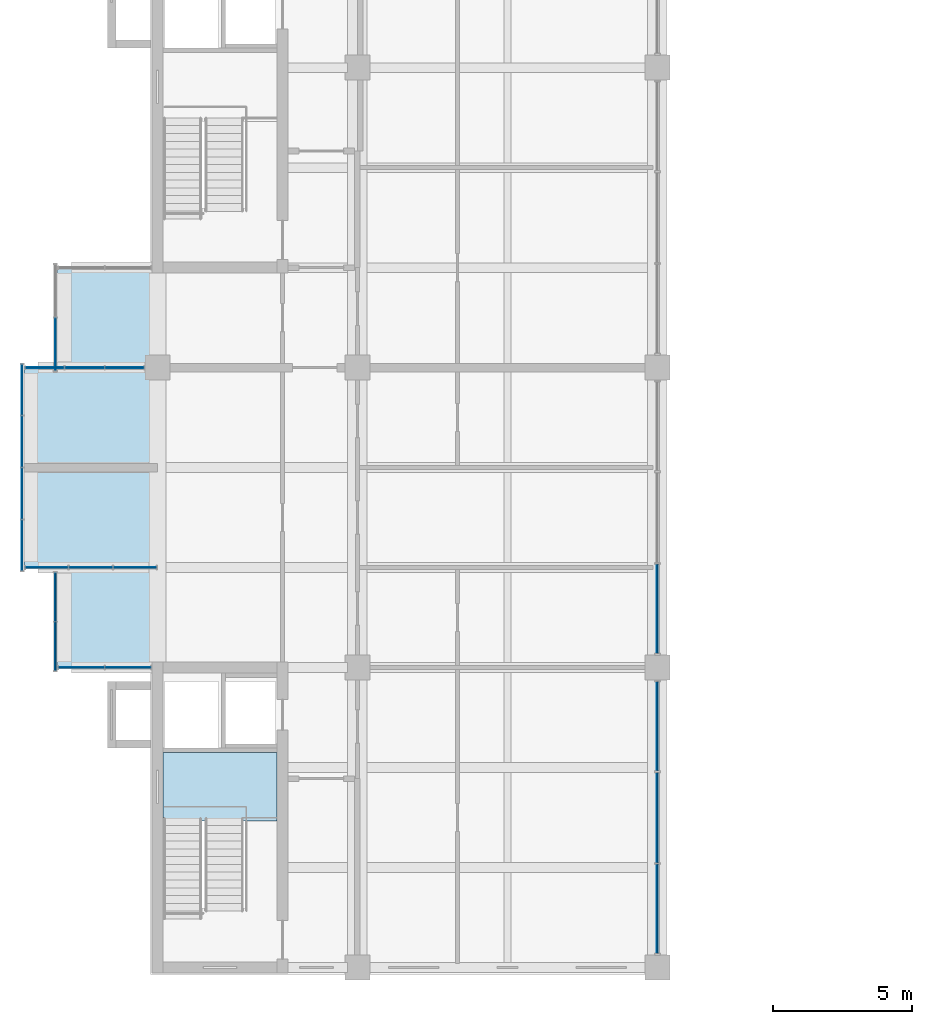
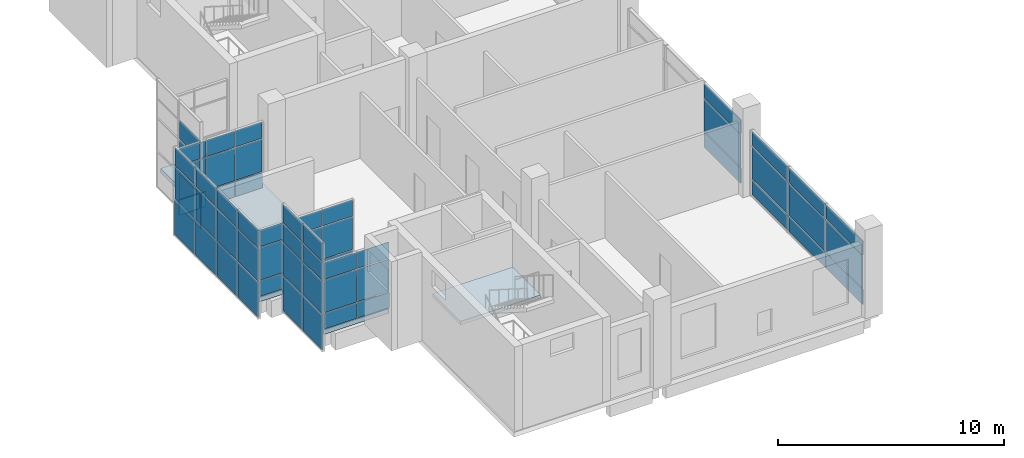
# One storey, part 12 of 23: 59 plates, 2 slabs, 9 elements without a shape of their own.
"""IFC4 building model written with IfcOpenShell, lengths in metres."""

from ifc_helpers import new_model, si_unit, direction, frame, origin, origin_2d, place, context, subcontext, project, spatial, polyline, rectangle, outline, extrude, material, layer, layer_set, type_object, element, aggregate, save


model = new_model("IFC4")

# Units and contexts
model_context = context("Model", 3, precision=1e-05, world=origin(), true_north=direction((0.0, 1.0)))
body_context = subcontext(model_context, "Body", "Model", "MODEL_VIEW")
ifc_project = project(units=[si_unit("LENGTHUNIT", "METRE"), si_unit("AREAUNIT", "SQUARE_METRE"), si_unit("VOLUMEUNIT", "CUBIC_METRE"), si_unit("PLANEANGLEUNIT", "RADIAN"), si_unit("MASSUNIT", "GRAM", prefix="KILO")], contexts=[model_context])

# Site, building, storey
site_placement = place(None, origin())
site = spatial("IfcSite", under=ifc_project, at=site_placement, CompositionType="ELEMENT")
building_placement = place(site_placement, origin())
building = spatial("IfcBuilding", under=site, at=building_placement, Name="Basin Gate Institute", CompositionType="ELEMENT")
storey_placement = place(building_placement, frame((0.0, 0.0, 46.199951171875)))
storey = spatial("IfcBuildingStorey", under=building, at=storey_placement, Name="L09", CompositionType="ELEMENT", Elevation=46.199951171875)

# Slab
ifc_material_1 = material(Name="Concrete 40 MPa", Category="concrete")
ifc_layer_1 = layer(ifc_material_1, 0.25)
ifc_layer_set_1 = layer_set([ifc_layer_1], Name="Concrete 40 MPa")
slab_type_1 = type_object("IfcSlabType", Name="Slab SL4 R120", PredefinedType="FLOOR", material=ifc_layer_set_1)
slab_1_placement = place(storey_placement, frame((0.0, 0.0, -0.25)))
element("IfcSlab", 1, at=slab_1_placement, inside=storey, type_object=slab_type_1, material=ifc_layer_set_1, Name="SLAB/L09/WK11", PredefinedType="FLOOR", context=body_context, shape_type="SweptSolid", body=[
    extrude(outline(polyline([(57.60009765625, 45.89990234375), (57.60009765625, 49.5), (56.39990234375, 49.5), (56.39990234375, 56.699951171875), (57.60009765625, 56.699951171875), (57.60009765625, 60.300048828125), (60.949951171875, 60.300048828125), (60.949951171875, 45.89990234375), (57.60009765625, 45.89990234375)])), origin(), (0.0, 0.0, 1.0), 0.25),
])

# Curtain wall, plates
ifc_material_2 = material(Name="Aluminium-framed glazing", Category="aluminium")
ifc_layer_2 = layer(ifc_material_2, 0.199951171875)
ifc_layer_set_2 = layer_set([ifc_layer_2], Name="Atrium curtain wall CW2")
curtain_wall_type_1 = type_object("IfcCurtainWallType", Name="Atrium curtain wall CW2", PredefinedType="NOTDEFINED", material=ifc_layer_set_2)
curtain_wall_1_placement = place(storey_placement, origin())
curtain_wall_1 = element("IfcCurtainWall", 2, at=curtain_wall_1_placement, inside=storey, type_object=curtain_wall_type_1, material=ifc_layer_set_2, Name="Atrium curtain wall W wing atrium bay 1 L09", PredefinedType="NOTDEFINED")
ifc_material_3 = material(Name="Aluminium insulated spandrel panel", Category="aluminium")
ifc_layer_3 = layer(ifc_material_3, 0.050048828125)
ifc_layer_set_3 = layer_set([ifc_layer_3], Name="Spandrel panel PN2")
plate_type_1 = type_object("IfcPlateType", Name="Spandrel panel PN2", PredefinedType="CURTAIN_PANEL", material=ifc_layer_set_3)
plate_1_placement = place(storey_placement, frame((79.199951171875, 37.215087890625, 0.06005859375), z_axis=(0.0, 0.0, 1.0), x_axis=(0.0, 1.0, 0.0)))
plate_1 = element("IfcPlate", 3, at=plate_1_placement, type_object=plate_type_1, material=ifc_layer_set_3, Name="CW2 spandrel panel 1.1", PredefinedType="CURTAIN_PANEL", context=body_context, shape_type="SweptSolid", body=[
    extrude(rectangle(XDim=3.2099609375, YDim=0.050048828125, at=origin_2d()), origin(), (0.0, 0.0, 1.0), 0.81005859375),
])
plate_2_placement = place(storey_placement, frame((79.199951171875, 37.215087890625, 2.72998046875), z_axis=(0.0, 0.0, 1.0), x_axis=(0.0, 1.0, 0.0)))
plate_2 = element("IfcPlate", 4, at=plate_2_placement, type_object=plate_type_1, material=ifc_layer_set_3, Name="CW2 spandrel panel 1.3", PredefinedType="CURTAIN_PANEL", context=body_context, shape_type="SweptSolid", body=[
    extrude(rectangle(XDim=3.2099609375, YDim=0.050048828125, at=origin_2d()), origin(), (0.0, 0.0, 1.0), 0.760009765625),
])
plate_3_placement = place(storey_placement, frame((79.199951171875, 40.5, 0.06005859375), z_axis=(0.0, 0.0, 1.0), x_axis=(0.0, 1.0, 0.0)))
plate_3 = element("IfcPlate", 5, at=plate_3_placement, type_object=plate_type_1, material=ifc_layer_set_3, Name="CW2 spandrel panel 2.1", PredefinedType="CURTAIN_PANEL", context=body_context, shape_type="SweptSolid", body=[
    extrude(rectangle(XDim=3.239990234375, YDim=0.050048828125, at=origin_2d()), origin(), (0.0, 0.0, 1.0), 0.81005859375),
])
plate_4_placement = place(storey_placement, frame((79.199951171875, 40.5, 2.72998046875), z_axis=(0.0, 0.0, 1.0), x_axis=(0.0, 1.0, 0.0)))
plate_4 = element("IfcPlate", 6, at=plate_4_placement, type_object=plate_type_1, material=ifc_layer_set_3, Name="CW2 spandrel panel 2.3", PredefinedType="CURTAIN_PANEL", context=body_context, shape_type="SweptSolid", body=[
    extrude(rectangle(XDim=3.239990234375, YDim=0.050048828125, at=origin_2d()), origin(), (0.0, 0.0, 1.0), 0.760009765625),
])
plate_5_placement = place(storey_placement, frame((79.199951171875, 43.784912109375, 0.06005859375), z_axis=(0.0, 0.0, 1.0), x_axis=(0.0, 1.0, 0.0)))
plate_5 = element("IfcPlate", 7, at=plate_5_placement, type_object=plate_type_1, material=ifc_layer_set_3, Name="CW2 spandrel panel 3.1", PredefinedType="CURTAIN_PANEL", context=body_context, shape_type="SweptSolid", body=[
    extrude(rectangle(XDim=3.2099609375, YDim=0.050048828125, at=origin_2d()), origin(), (0.0, 0.0, 1.0), 0.81005859375),
])
plate_6_placement = place(storey_placement, frame((79.199951171875, 43.784912109375, 2.72998046875), z_axis=(0.0, 0.0, 1.0), x_axis=(0.0, 1.0, 0.0)))
plate_6 = element("IfcPlate", 8, at=plate_6_placement, type_object=plate_type_1, material=ifc_layer_set_3, Name="CW2 spandrel panel 3.3", PredefinedType="CURTAIN_PANEL", context=body_context, shape_type="SweptSolid", body=[
    extrude(rectangle(XDim=3.2099609375, YDim=0.050048828125, at=origin_2d()), origin(), (0.0, 0.0, 1.0), 0.760009765625),
])

curtain_wall_2_placement = place(storey_placement, origin())
curtain_wall_2 = element("IfcCurtainWall", 9, at=curtain_wall_2_placement, inside=storey, type_object=curtain_wall_type_1, material=ifc_layer_set_2, Name="Atrium curtain wall W wing atrium bay 2 L09", PredefinedType="NOTDEFINED")
plate_7_placement = place(storey_placement, frame((79.199951171875, 48.014892578125, 0.06005859375), z_axis=(0.0, 0.0, 1.0), x_axis=(0.0, 1.0, 0.0)))
plate_7 = element("IfcPlate", 10, at=plate_7_placement, type_object=plate_type_1, material=ifc_layer_set_3, Name="CW2 spandrel panel 1.1", PredefinedType="CURTAIN_PANEL", context=body_context, shape_type="SweptSolid", body=[
    extrude(rectangle(XDim=3.2099609375, YDim=0.050048828125, at=origin_2d()), origin(), (0.0, 0.0, 1.0), 0.81005859375),
])
plate_8_placement = place(storey_placement, frame((79.199951171875, 48.014892578125, 2.72998046875), z_axis=(0.0, 0.0, 1.0), x_axis=(0.0, 1.0, 0.0)))
plate_8 = element("IfcPlate", 11, at=plate_8_placement, type_object=plate_type_1, material=ifc_layer_set_3, Name="CW2 spandrel panel 1.3", PredefinedType="CURTAIN_PANEL", context=body_context, shape_type="SweptSolid", body=[
    extrude(rectangle(XDim=3.2099609375, YDim=0.050048828125, at=origin_2d()), origin(), (0.0, 0.0, 1.0), 0.760009765625),
])

ifc_material_4 = material(Name="Aluminium-framed glazing", Category="aluminium")
ifc_layer_4 = layer(ifc_material_4, 0.14990234375)
ifc_layer_set_4 = layer_set([ifc_layer_4], Name="Capsule front curtain wall CW1")
curtain_wall_type_2 = type_object("IfcCurtainWallType", Name="Capsule front curtain wall CW1", PredefinedType="NOTDEFINED", material=ifc_layer_set_4)
curtain_wall_3_placement = place(storey_placement, origin())
curtain_wall_3 = element("IfcCurtainWall", 12, at=curtain_wall_3_placement, inside=storey, type_object=curtain_wall_type_2, material=ifc_layer_set_4, Name="Capsule front curtain wall W wing capsule end L09 line 4", PredefinedType="NOTDEFINED")
plate_9_placement = place(storey_placement, frame((58.46240234375, 45.89990234375, 0.06005859375), z_axis=(0.0, 0.0, 1.0), x_axis=(1.0, 0.0, 0.0)))
plate_9 = element("IfcPlate", 13, at=plate_9_placement, type_object=plate_type_1, material=ifc_layer_set_3, Name="CW1 spandrel panel 1.1", PredefinedType="CURTAIN_PANEL", context=body_context, shape_type="SweptSolid", body=[
    extrude(rectangle(XDim=1.625, YDim=0.050048828125, at=origin_2d()), origin(), (0.0, 0.0, 1.0), 0.81005859375),
])
plate_10_placement = place(storey_placement, frame((60.137451171875, 45.89990234375, 0.06005859375), z_axis=(0.0, 0.0, 1.0), x_axis=(1.0, 0.0, 0.0)))
plate_10 = element("IfcPlate", 14, at=plate_10_placement, type_object=plate_type_1, material=ifc_layer_set_3, Name="CW1 spandrel panel 2.1", PredefinedType="CURTAIN_PANEL", context=body_context, shape_type="SweptSolid", body=[
    extrude(rectangle(XDim=1.625, YDim=0.050048828125, at=origin_2d()), origin(), (0.0, 0.0, 1.0), 0.81005859375),
])

curtain_wall_4_placement = place(storey_placement, origin())
curtain_wall_4 = element("IfcCurtainWall", 15, at=curtain_wall_4_placement, inside=storey, type_object=curtain_wall_type_2, material=ifc_layer_set_4, Name="Capsule front curtain wall W wing capsule end L09 line 5", PredefinedType="NOTDEFINED")
plate_11_placement = place(storey_placement, frame((57.21240234375, 49.5, 0.06005859375), z_axis=(0.0, 0.0, 1.0), x_axis=(1.0, 0.0, 0.0)))
plate_11 = element("IfcPlate", 16, at=plate_11_placement, type_object=plate_type_1, material=ifc_layer_set_3, Name="CW1 spandrel panel 1.1", PredefinedType="CURTAIN_PANEL", context=body_context, shape_type="SweptSolid", body=[
    extrude(rectangle(XDim=1.52490234375, YDim=0.050048828125, at=origin_2d()), origin(), (0.0, 0.0, 1.0), 0.81005859375),
])
plate_12_placement = place(storey_placement, frame((58.800048828125, 49.5, 0.06005859375), z_axis=(0.0, 0.0, 1.0), x_axis=(1.0, 0.0, 0.0)))
plate_12 = element("IfcPlate", 17, at=plate_12_placement, type_object=plate_type_1, material=ifc_layer_set_3, Name="CW1 spandrel panel 2.1", PredefinedType="CURTAIN_PANEL", context=body_context, shape_type="SweptSolid", body=[
    extrude(rectangle(XDim=1.550048828125, YDim=0.050048828125, at=origin_2d()), origin(), (0.0, 0.0, 1.0), 0.81005859375),
])
plate_13_placement = place(storey_placement, frame((60.387451171875, 49.5, 0.06005859375), z_axis=(0.0, 0.0, 1.0), x_axis=(1.0, 0.0, 0.0)))
plate_13 = element("IfcPlate", 18, at=plate_13_placement, type_object=plate_type_1, material=ifc_layer_set_3, Name="CW1 spandrel panel 3.1", PredefinedType="CURTAIN_PANEL", context=body_context, shape_type="SweptSolid", body=[
    extrude(rectangle(XDim=1.52490234375, YDim=0.050048828125, at=origin_2d()), origin(), (0.0, 0.0, 1.0), 0.81005859375),
])

curtain_wall_5_placement = place(storey_placement, origin())
curtain_wall_5 = element("IfcCurtainWall", 19, at=curtain_wall_5_placement, inside=storey, type_object=curtain_wall_type_2, material=ifc_layer_set_4, Name="Capsule front curtain wall W wing capsule end L09 line 7", PredefinedType="NOTDEFINED")
plate_14_placement = place(storey_placement, frame((57.137451171875, 56.699951171875, 0.06005859375), z_axis=(0.0, 0.0, 1.0), x_axis=(1.0, 0.0, 0.0)))
plate_14 = element("IfcPlate", 20, at=plate_14_placement, type_object=plate_type_1, material=ifc_layer_set_3, Name="CW1 spandrel panel 1.1", PredefinedType="CURTAIN_PANEL", context=body_context, shape_type="SweptSolid", body=[
    extrude(rectangle(XDim=1.375, YDim=0.050048828125, at=origin_2d()), origin(), (0.0, 0.0, 1.0), 0.81005859375),
])
plate_15_placement = place(storey_placement, frame((58.574951171875, 56.699951171875, 0.06005859375), z_axis=(0.0, 0.0, 1.0), x_axis=(1.0, 0.0, 0.0)))
plate_15 = element("IfcPlate", 21, at=plate_15_placement, type_object=plate_type_1, material=ifc_layer_set_3, Name="CW1 spandrel panel 2.1", PredefinedType="CURTAIN_PANEL", context=body_context, shape_type="SweptSolid", body=[
    extrude(rectangle(XDim=1.39990234375, YDim=0.050048828125, at=origin_2d()), origin(), (0.0, 0.0, 1.0), 0.81005859375),
])
plate_16_placement = place(storey_placement, frame((60.012451171875, 56.699951171875, 0.06005859375), z_axis=(0.0, 0.0, 1.0), x_axis=(1.0, 0.0, 0.0)))
plate_16 = element("IfcPlate", 22, at=plate_16_placement, type_object=plate_type_1, material=ifc_layer_set_3, Name="CW1 spandrel panel 3.1", PredefinedType="CURTAIN_PANEL", context=body_context, shape_type="SweptSolid", body=[
    extrude(rectangle(XDim=1.375, YDim=0.050048828125, at=origin_2d()), origin(), (0.0, 0.0, 1.0), 0.81005859375),
])

curtain_wall_6_placement = place(storey_placement, origin())
curtain_wall_6 = element("IfcCurtainWall", 23, at=curtain_wall_6_placement, inside=storey, type_object=curtain_wall_type_2, material=ifc_layer_set_4, Name="Capsule front curtain wall W wing capsule 1 L09 front 1", PredefinedType="NOTDEFINED")
plate_17_placement = place(storey_placement, frame((57.52490234375, 46.66259765625, -0.990234375), z_axis=(0.0, 0.0, 1.0), x_axis=(0.0, 1.0, 0.0)))
plate_17 = element("IfcPlate", 24, at=plate_17_placement, type_object=plate_type_1, material=ifc_layer_set_3, Name="CW1 spandrel panel 1.1", PredefinedType="CURTAIN_PANEL", context=body_context, shape_type="SweptSolid", body=[
    extrude(rectangle(XDim=1.72509765625, YDim=0.050048828125, at=origin_2d()), origin(), (0.0, 0.0, 1.0), 1.860107421875),
])
plate_18_placement = place(storey_placement, frame((57.52490234375, 46.66259765625, 3.780029296875), z_axis=(0.0, 0.0, 1.0), x_axis=(0.0, 1.0, 0.0)))
plate_18 = element("IfcPlate", 25, at=plate_18_placement, type_object=plate_type_1, material=ifc_layer_set_3, Name="CW1 spandrel panel 1.4", PredefinedType="CURTAIN_PANEL", context=body_context, shape_type="SweptSolid", body=[
    extrude(rectangle(XDim=1.72509765625, YDim=0.050048828125, at=origin_2d()), origin(), (0.0, 0.0, 1.0), 0.9599609375),
])
plate_19_placement = place(storey_placement, frame((57.52490234375, 48.4375, -0.990234375), z_axis=(0.0, 0.0, 1.0), x_axis=(0.0, 1.0, 0.0)))
plate_19 = element("IfcPlate", 26, at=plate_19_placement, type_object=plate_type_1, material=ifc_layer_set_3, Name="CW1 spandrel panel 2.1", PredefinedType="CURTAIN_PANEL", context=body_context, shape_type="SweptSolid", body=[
    extrude(rectangle(XDim=1.72509765625, YDim=0.050048828125, at=origin_2d()), origin(), (0.0, 0.0, 1.0), 1.860107421875),
])
plate_20_placement = place(storey_placement, frame((57.52490234375, 48.4375, 3.780029296875), z_axis=(0.0, 0.0, 1.0), x_axis=(0.0, 1.0, 0.0)))
plate_20 = element("IfcPlate", 27, at=plate_20_placement, type_object=plate_type_1, material=ifc_layer_set_3, Name="CW1 spandrel panel 2.4", PredefinedType="CURTAIN_PANEL", context=body_context, shape_type="SweptSolid", body=[
    extrude(rectangle(XDim=1.72509765625, YDim=0.050048828125, at=origin_2d()), origin(), (0.0, 0.0, 1.0), 0.9599609375),
])

curtain_wall_7_placement = place(storey_placement, origin())
curtain_wall_7 = element("IfcCurtainWall", 28, at=curtain_wall_7_placement, inside=storey, type_object=curtain_wall_type_2, material=ifc_layer_set_4, Name="Capsule front curtain wall W wing capsule 1 L09 front 2", PredefinedType="NOTDEFINED")
plate_21_placement = place(storey_placement, frame((56.324951171875, 50.300048828125, -0.990234375), z_axis=(0.0, 0.0, 1.0), x_axis=(0.0, 1.0, 0.0)))
plate_21 = element("IfcPlate", 29, at=plate_21_placement, type_object=plate_type_1, material=ifc_layer_set_3, Name="CW1 spandrel panel 1.1", PredefinedType="CURTAIN_PANEL", context=body_context, shape_type="SweptSolid", body=[
    extrude(rectangle(XDim=1.800048828125, YDim=0.050048828125, at=origin_2d()), origin(), (0.0, 0.0, 1.0), 1.860107421875),
])
plate_22_placement = place(storey_placement, frame((56.324951171875, 52.16259765625, -0.990234375), z_axis=(0.0, 0.0, 1.0), x_axis=(0.0, 1.0, 0.0)))
plate_22 = element("IfcPlate", 30, at=plate_22_placement, type_object=plate_type_1, material=ifc_layer_set_3, Name="CW1 spandrel panel 2.1", PredefinedType="CURTAIN_PANEL", context=body_context, shape_type="SweptSolid", body=[
    extrude(rectangle(XDim=1.824951171875, YDim=0.050048828125, at=origin_2d()), origin(), (0.0, 0.0, 1.0), 1.860107421875),
])
plate_23_placement = place(storey_placement, frame((56.324951171875, 54.03759765625, -0.990234375), z_axis=(0.0, 0.0, 1.0), x_axis=(0.0, 1.0, 0.0)))
plate_23 = element("IfcPlate", 31, at=plate_23_placement, type_object=plate_type_1, material=ifc_layer_set_3, Name="CW1 spandrel panel 3.1", PredefinedType="CURTAIN_PANEL", context=body_context, shape_type="SweptSolid", body=[
    extrude(rectangle(XDim=1.824951171875, YDim=0.050048828125, at=origin_2d()), origin(), (0.0, 0.0, 1.0), 1.860107421875),
])
plate_24_placement = place(storey_placement, frame((56.324951171875, 55.89990234375, -0.990234375), z_axis=(0.0, 0.0, 1.0), x_axis=(0.0, 1.0, 0.0)))
plate_24 = element("IfcPlate", 32, at=plate_24_placement, type_object=plate_type_1, material=ifc_layer_set_3, Name="CW1 spandrel panel 4.1", PredefinedType="CURTAIN_PANEL", context=body_context, shape_type="SweptSolid", body=[
    extrude(rectangle(XDim=1.800048828125, YDim=0.050048828125, at=origin_2d()), origin(), (0.0, 0.0, 1.0), 1.860107421875),
])

# Curtain wall, plate
curtain_wall_8_placement = place(storey_placement, origin())
curtain_wall_8 = element("IfcCurtainWall", 33, at=curtain_wall_8_placement, inside=storey, type_object=curtain_wall_type_2, material=ifc_layer_set_4, Name="Capsule front curtain wall W wing capsule 1 L09 front 4", PredefinedType="NOTDEFINED")
plate_25_placement = place(storey_placement, frame((57.52490234375, 57.53759765625, -0.990234375), z_axis=(0.0, 0.0, 1.0), x_axis=(0.0, 1.0, 0.0)))
plate_25 = element("IfcPlate", 34, at=plate_25_placement, type_object=plate_type_1, material=ifc_layer_set_3, Name="CW1 spandrel panel 1.1", PredefinedType="CURTAIN_PANEL", context=body_context, shape_type="SweptSolid", body=[
    extrude(rectangle(XDim=1.875, YDim=0.050048828125, at=origin_2d()), origin(), (0.0, 0.0, 1.0), 1.860107421875),
])

# Stair, slab
ifc_material_5 = material(Name="Concrete 40 MPa", Category="concrete")
stair_type = type_object("IfcStairType", Name="Stair ST", PredefinedType="HALF_TURN_STAIR", material=ifc_material_5)
stair_placement = place(storey_placement, origin())
stair = element("IfcStair", 35, at=stair_placement, inside=storey, type_object=stair_type, material=ifc_material_5, Name="Special safe stair ST-WS L09", PredefinedType="HALF_TURN_STAIR")
ifc_material_6 = material(Name="Concrete 40 MPa", Category="concrete")
ifc_layer_5 = layer(ifc_material_6, 0.199951171875)
ifc_layer_set_5 = layer_set([ifc_layer_5], Name="Concrete 40 MPa")
slab_type_2 = type_object("IfcSlabType", Name="Stair landing LN REI 120", PredefinedType="LANDING", material=ifc_layer_set_5)
slab_2_placement = place(storey_placement, frame((0.0, 0.0, 2.288818359375)))
slab_2 = element("IfcSlab", 36, at=slab_2_placement, type_object=slab_type_2, material=ifc_layer_set_5, Name="Stair landing ST-WS-L1 L09", PredefinedType="LANDING", context=body_context, shape_type="SweptSolid", body=[
    extrude(outline(polyline([(61.39990234375, 40.3701171875), (65.5, 40.3701171875), (65.5, 42.85009765625), (61.39990234375, 42.85009765625), (61.39990234375, 40.3701171875)])), origin(), (0.0, 0.0, 1.0), 0.2001953125),
])
aggregate(stair, [slab_2])

# Plate
ifc_material_7 = material(Name="Double glazed unit")
ifc_layer_6 = layer(ifc_material_7, 0.028076171875)
ifc_layer_set_6 = layer_set([ifc_layer_6], Name="Vision panel PN1")
plate_type_2 = type_object("IfcPlateType", Name="Vision panel PN1", PredefinedType="CURTAIN_PANEL", material=ifc_layer_set_6)
plate_26_placement = place(storey_placement, frame((79.199951171875, 37.215087890625, 0.93017578125), z_axis=(0.0, 0.0, 1.0), x_axis=(0.0, 1.0, 0.0)))
plate_26 = element("IfcPlate", 37, at=plate_26_placement, type_object=plate_type_2, material=ifc_layer_set_6, Name="CW2 vision panel 1.2", PredefinedType="CURTAIN_PANEL", context=body_context, shape_type="SweptSolid", body=[
    extrude(rectangle(XDim=3.2099609375, YDim=0.028076171875, at=origin_2d()), origin(), (0.0, 0.0, 1.0), 1.739990234375),
])

plate_27_placement = place(storey_placement, frame((79.199951171875, 40.5, 0.93017578125), z_axis=(0.0, 0.0, 1.0), x_axis=(0.0, 1.0, 0.0)))
plate_27 = element("IfcPlate", 38, at=plate_27_placement, type_object=plate_type_2, material=ifc_layer_set_6, Name="CW2 vision panel 2.2", PredefinedType="CURTAIN_PANEL", context=body_context, shape_type="SweptSolid", body=[
    extrude(rectangle(XDim=3.239990234375, YDim=0.028076171875, at=origin_2d()), origin(), (0.0, 0.0, 1.0), 1.739990234375),
])

plate_28_placement = place(storey_placement, frame((79.199951171875, 43.784912109375, 0.93017578125), z_axis=(0.0, 0.0, 1.0), x_axis=(0.0, 1.0, 0.0)))
plate_28 = element("IfcPlate", 39, at=plate_28_placement, type_object=plate_type_2, material=ifc_layer_set_6, Name="CW2 vision panel 3.2", PredefinedType="CURTAIN_PANEL", context=body_context, shape_type="SweptSolid", body=[
    extrude(rectangle(XDim=3.2099609375, YDim=0.028076171875, at=origin_2d()), origin(), (0.0, 0.0, 1.0), 1.739990234375),
])

aggregate(curtain_wall_1, [plate_1, plate_26, plate_2, plate_3, plate_27, plate_4, plate_5, plate_28, plate_6])

plate_29_placement = place(storey_placement, frame((79.199951171875, 48.014892578125, 0.93017578125), z_axis=(0.0, 0.0, 1.0), x_axis=(0.0, 1.0, 0.0)))
plate_29 = element("IfcPlate", 40, at=plate_29_placement, type_object=plate_type_2, material=ifc_layer_set_6, Name="CW2 vision panel 1.2", PredefinedType="CURTAIN_PANEL", context=body_context, shape_type="SweptSolid", body=[
    extrude(rectangle(XDim=3.2099609375, YDim=0.028076171875, at=origin_2d()), origin(), (0.0, 0.0, 1.0), 1.739990234375),
])

aggregate(curtain_wall_2, [plate_7, plate_29, plate_8])

plate_30_placement = place(storey_placement, frame((58.46240234375, 45.89990234375, 0.93017578125), z_axis=(0.0, 0.0, 1.0), x_axis=(1.0, 0.0, 0.0)))
plate_30 = element("IfcPlate", 41, at=plate_30_placement, type_object=plate_type_2, material=ifc_layer_set_6, Name="CW1 vision panel 1.2", PredefinedType="CURTAIN_PANEL", context=body_context, shape_type="SweptSolid", body=[
    extrude(rectangle(XDim=1.625, YDim=0.028076171875, at=origin_2d()), origin(), (0.0, 0.0, 1.0), 1.739990234375),
])

plate_31_placement = place(storey_placement, frame((58.46240234375, 45.89990234375, 2.72998046875), z_axis=(0.0, 0.0, 1.0), x_axis=(1.0, 0.0, 0.0)))
plate_31 = element("IfcPlate", 42, at=plate_31_placement, type_object=plate_type_2, material=ifc_layer_set_6, Name="CW1 vision panel 1.3", PredefinedType="CURTAIN_PANEL", context=body_context, shape_type="SweptSolid", body=[
    extrude(rectangle(XDim=1.625, YDim=0.028076171875, at=origin_2d()), origin(), (0.0, 0.0, 1.0), 0.860107421875),
])

plate_32_placement = place(storey_placement, frame((60.137451171875, 45.89990234375, 0.93017578125), z_axis=(0.0, 0.0, 1.0), x_axis=(1.0, 0.0, 0.0)))
plate_32 = element("IfcPlate", 43, at=plate_32_placement, type_object=plate_type_2, material=ifc_layer_set_6, Name="CW1 vision panel 2.2", PredefinedType="CURTAIN_PANEL", context=body_context, shape_type="SweptSolid", body=[
    extrude(rectangle(XDim=1.625, YDim=0.028076171875, at=origin_2d()), origin(), (0.0, 0.0, 1.0), 1.739990234375),
])

plate_33_placement = place(storey_placement, frame((60.137451171875, 45.89990234375, 2.72998046875), z_axis=(0.0, 0.0, 1.0), x_axis=(1.0, 0.0, 0.0)))
plate_33 = element("IfcPlate", 44, at=plate_33_placement, type_object=plate_type_2, material=ifc_layer_set_6, Name="CW1 vision panel 2.3", PredefinedType="CURTAIN_PANEL", context=body_context, shape_type="SweptSolid", body=[
    extrude(rectangle(XDim=1.625, YDim=0.028076171875, at=origin_2d()), origin(), (0.0, 0.0, 1.0), 0.860107421875),
])

aggregate(curtain_wall_3, [plate_9, plate_30, plate_31, plate_10, plate_32, plate_33])

plate_34_placement = place(storey_placement, frame((57.21240234375, 49.5, 0.93017578125), z_axis=(0.0, 0.0, 1.0), x_axis=(1.0, 0.0, 0.0)))
plate_34 = element("IfcPlate", 45, at=plate_34_placement, type_object=plate_type_2, material=ifc_layer_set_6, Name="CW1 vision panel 1.2", PredefinedType="CURTAIN_PANEL", context=body_context, shape_type="SweptSolid", body=[
    extrude(rectangle(XDim=1.52490234375, YDim=0.028076171875, at=origin_2d()), origin(), (0.0, 0.0, 1.0), 1.739990234375),
])

plate_35_placement = place(storey_placement, frame((57.21240234375, 49.5, 2.72998046875), z_axis=(0.0, 0.0, 1.0), x_axis=(1.0, 0.0, 0.0)))
plate_35 = element("IfcPlate", 46, at=plate_35_placement, type_object=plate_type_2, material=ifc_layer_set_6, Name="CW1 vision panel 1.3", PredefinedType="CURTAIN_PANEL", context=body_context, shape_type="SweptSolid", body=[
    extrude(rectangle(XDim=1.52490234375, YDim=0.028076171875, at=origin_2d()), origin(), (0.0, 0.0, 1.0), 0.860107421875),
])

plate_36_placement = place(storey_placement, frame((58.800048828125, 49.5, 0.93017578125), z_axis=(0.0, 0.0, 1.0), x_axis=(1.0, 0.0, 0.0)))
plate_36 = element("IfcPlate", 47, at=plate_36_placement, type_object=plate_type_2, material=ifc_layer_set_6, Name="CW1 vision panel 2.2", PredefinedType="CURTAIN_PANEL", context=body_context, shape_type="SweptSolid", body=[
    extrude(rectangle(XDim=1.550048828125, YDim=0.028076171875, at=origin_2d()), origin(), (0.0, 0.0, 1.0), 1.739990234375),
])

plate_37_placement = place(storey_placement, frame((58.800048828125, 49.5, 2.72998046875), z_axis=(0.0, 0.0, 1.0), x_axis=(1.0, 0.0, 0.0)))
plate_37 = element("IfcPlate", 48, at=plate_37_placement, type_object=plate_type_2, material=ifc_layer_set_6, Name="CW1 vision panel 2.3", PredefinedType="CURTAIN_PANEL", context=body_context, shape_type="SweptSolid", body=[
    extrude(rectangle(XDim=1.550048828125, YDim=0.028076171875, at=origin_2d()), origin(), (0.0, 0.0, 1.0), 0.860107421875),
])

plate_38_placement = place(storey_placement, frame((60.387451171875, 49.5, 0.93017578125), z_axis=(0.0, 0.0, 1.0), x_axis=(1.0, 0.0, 0.0)))
plate_38 = element("IfcPlate", 49, at=plate_38_placement, type_object=plate_type_2, material=ifc_layer_set_6, Name="CW1 vision panel 3.2", PredefinedType="CURTAIN_PANEL", context=body_context, shape_type="SweptSolid", body=[
    extrude(rectangle(XDim=1.52490234375, YDim=0.028076171875, at=origin_2d()), origin(), (0.0, 0.0, 1.0), 1.739990234375),
])

plate_39_placement = place(storey_placement, frame((60.387451171875, 49.5, 2.72998046875), z_axis=(0.0, 0.0, 1.0), x_axis=(1.0, 0.0, 0.0)))
plate_39 = element("IfcPlate", 50, at=plate_39_placement, type_object=plate_type_2, material=ifc_layer_set_6, Name="CW1 vision panel 3.3", PredefinedType="CURTAIN_PANEL", context=body_context, shape_type="SweptSolid", body=[
    extrude(rectangle(XDim=1.52490234375, YDim=0.028076171875, at=origin_2d()), origin(), (0.0, 0.0, 1.0), 0.860107421875),
])

aggregate(curtain_wall_4, [plate_11, plate_34, plate_35, plate_12, plate_36, plate_37, plate_13, plate_38, plate_39])

plate_40_placement = place(storey_placement, frame((57.137451171875, 56.699951171875, 0.93017578125), z_axis=(0.0, 0.0, 1.0), x_axis=(1.0, 0.0, 0.0)))
plate_40 = element("IfcPlate", 51, at=plate_40_placement, type_object=plate_type_2, material=ifc_layer_set_6, Name="CW1 vision panel 1.2", PredefinedType="CURTAIN_PANEL", context=body_context, shape_type="SweptSolid", body=[
    extrude(rectangle(XDim=1.375, YDim=0.028076171875, at=origin_2d()), origin(), (0.0, 0.0, 1.0), 1.739990234375),
])

plate_41_placement = place(storey_placement, frame((57.137451171875, 56.699951171875, 2.72998046875), z_axis=(0.0, 0.0, 1.0), x_axis=(1.0, 0.0, 0.0)))
plate_41 = element("IfcPlate", 52, at=plate_41_placement, type_object=plate_type_2, material=ifc_layer_set_6, Name="CW1 vision panel 1.3", PredefinedType="CURTAIN_PANEL", context=body_context, shape_type="SweptSolid", body=[
    extrude(rectangle(XDim=1.375, YDim=0.028076171875, at=origin_2d()), origin(), (0.0, 0.0, 1.0), 0.860107421875),
])

plate_42_placement = place(storey_placement, frame((58.574951171875, 56.699951171875, 0.93017578125), z_axis=(0.0, 0.0, 1.0), x_axis=(1.0, 0.0, 0.0)))
plate_42 = element("IfcPlate", 53, at=plate_42_placement, type_object=plate_type_2, material=ifc_layer_set_6, Name="CW1 vision panel 2.2", PredefinedType="CURTAIN_PANEL", context=body_context, shape_type="SweptSolid", body=[
    extrude(rectangle(XDim=1.39990234375, YDim=0.028076171875, at=origin_2d()), origin(), (0.0, 0.0, 1.0), 1.739990234375),
])

plate_43_placement = place(storey_placement, frame((58.574951171875, 56.699951171875, 2.72998046875), z_axis=(0.0, 0.0, 1.0), x_axis=(1.0, 0.0, 0.0)))
plate_43 = element("IfcPlate", 54, at=plate_43_placement, type_object=plate_type_2, material=ifc_layer_set_6, Name="CW1 vision panel 2.3", PredefinedType="CURTAIN_PANEL", context=body_context, shape_type="SweptSolid", body=[
    extrude(rectangle(XDim=1.39990234375, YDim=0.028076171875, at=origin_2d()), origin(), (0.0, 0.0, 1.0), 0.860107421875),
])

plate_44_placement = place(storey_placement, frame((60.012451171875, 56.699951171875, 0.93017578125), z_axis=(0.0, 0.0, 1.0), x_axis=(1.0, 0.0, 0.0)))
plate_44 = element("IfcPlate", 55, at=plate_44_placement, type_object=plate_type_2, material=ifc_layer_set_6, Name="CW1 vision panel 3.2", PredefinedType="CURTAIN_PANEL", context=body_context, shape_type="SweptSolid", body=[
    extrude(rectangle(XDim=1.375, YDim=0.028076171875, at=origin_2d()), origin(), (0.0, 0.0, 1.0), 1.739990234375),
])

plate_45_placement = place(storey_placement, frame((60.012451171875, 56.699951171875, 2.72998046875), z_axis=(0.0, 0.0, 1.0), x_axis=(1.0, 0.0, 0.0)))
plate_45 = element("IfcPlate", 56, at=plate_45_placement, type_object=plate_type_2, material=ifc_layer_set_6, Name="CW1 vision panel 3.3", PredefinedType="CURTAIN_PANEL", context=body_context, shape_type="SweptSolid", body=[
    extrude(rectangle(XDim=1.375, YDim=0.028076171875, at=origin_2d()), origin(), (0.0, 0.0, 1.0), 0.860107421875),
])

aggregate(curtain_wall_5, [plate_14, plate_40, plate_41, plate_15, plate_42, plate_43, plate_16, plate_44, plate_45])

plate_46_placement = place(storey_placement, frame((57.52490234375, 46.66259765625, 0.93017578125), z_axis=(0.0, 0.0, 1.0), x_axis=(0.0, 1.0, 0.0)))
plate_46 = element("IfcPlate", 57, at=plate_46_placement, type_object=plate_type_2, material=ifc_layer_set_6, Name="CW1 vision panel 1.2", PredefinedType="CURTAIN_PANEL", context=body_context, shape_type="SweptSolid", body=[
    extrude(rectangle(XDim=1.72509765625, YDim=0.028076171875, at=origin_2d()), origin(), (0.0, 0.0, 1.0), 1.739990234375),
])

plate_47_placement = place(storey_placement, frame((57.52490234375, 46.66259765625, 2.72998046875), z_axis=(0.0, 0.0, 1.0), x_axis=(0.0, 1.0, 0.0)))
plate_47 = element("IfcPlate", 58, at=plate_47_placement, type_object=plate_type_2, material=ifc_layer_set_6, Name="CW1 vision panel 1.3", PredefinedType="CURTAIN_PANEL", context=body_context, shape_type="SweptSolid", body=[
    extrude(rectangle(XDim=1.72509765625, YDim=0.028076171875, at=origin_2d()), origin(), (0.0, 0.0, 1.0), 0.989990234375),
])

plate_48_placement = place(storey_placement, frame((57.52490234375, 48.4375, 0.93017578125), z_axis=(0.0, 0.0, 1.0), x_axis=(0.0, 1.0, 0.0)))
plate_48 = element("IfcPlate", 59, at=plate_48_placement, type_object=plate_type_2, material=ifc_layer_set_6, Name="CW1 vision panel 2.2", PredefinedType="CURTAIN_PANEL", context=body_context, shape_type="SweptSolid", body=[
    extrude(rectangle(XDim=1.72509765625, YDim=0.028076171875, at=origin_2d()), origin(), (0.0, 0.0, 1.0), 1.739990234375),
])

plate_49_placement = place(storey_placement, frame((57.52490234375, 48.4375, 2.72998046875), z_axis=(0.0, 0.0, 1.0), x_axis=(0.0, 1.0, 0.0)))
plate_49 = element("IfcPlate", 60, at=plate_49_placement, type_object=plate_type_2, material=ifc_layer_set_6, Name="CW1 vision panel 2.3", PredefinedType="CURTAIN_PANEL", context=body_context, shape_type="SweptSolid", body=[
    extrude(rectangle(XDim=1.72509765625, YDim=0.028076171875, at=origin_2d()), origin(), (0.0, 0.0, 1.0), 0.989990234375),
])

aggregate(curtain_wall_6, [plate_17, plate_46, plate_47, plate_18, plate_19, plate_48, plate_49, plate_20])

plate_50_placement = place(storey_placement, frame((56.324951171875, 50.300048828125, 0.93017578125), z_axis=(0.0, 0.0, 1.0), x_axis=(0.0, 1.0, 0.0)))
plate_50 = element("IfcPlate", 61, at=plate_50_placement, type_object=plate_type_2, material=ifc_layer_set_6, Name="CW1 vision panel 1.2", PredefinedType="CURTAIN_PANEL", context=body_context, shape_type="SweptSolid", body=[
    extrude(rectangle(XDim=1.800048828125, YDim=0.028076171875, at=origin_2d()), origin(), (0.0, 0.0, 1.0), 1.739990234375),
])

plate_51_placement = place(storey_placement, frame((56.324951171875, 50.300048828125, 2.72998046875), z_axis=(0.0, 0.0, 1.0), x_axis=(0.0, 1.0, 0.0)))
plate_51 = element("IfcPlate", 62, at=plate_51_placement, type_object=plate_type_2, material=ifc_layer_set_6, Name="CW1 vision panel 1.3", PredefinedType="CURTAIN_PANEL", context=body_context, shape_type="SweptSolid", body=[
    extrude(rectangle(XDim=1.800048828125, YDim=0.028076171875, at=origin_2d()), origin(), (0.0, 0.0, 1.0), 0.9599609375),
])

plate_52_placement = place(storey_placement, frame((56.324951171875, 52.16259765625, 0.93017578125), z_axis=(0.0, 0.0, 1.0), x_axis=(0.0, 1.0, 0.0)))
plate_52 = element("IfcPlate", 63, at=plate_52_placement, type_object=plate_type_2, material=ifc_layer_set_6, Name="CW1 vision panel 2.2", PredefinedType="CURTAIN_PANEL", context=body_context, shape_type="SweptSolid", body=[
    extrude(rectangle(XDim=1.824951171875, YDim=0.028076171875, at=origin_2d()), origin(), (0.0, 0.0, 1.0), 1.739990234375),
])

plate_53_placement = place(storey_placement, frame((56.324951171875, 52.16259765625, 2.72998046875), z_axis=(0.0, 0.0, 1.0), x_axis=(0.0, 1.0, 0.0)))
plate_53 = element("IfcPlate", 64, at=plate_53_placement, type_object=plate_type_2, material=ifc_layer_set_6, Name="CW1 vision panel 2.3", PredefinedType="CURTAIN_PANEL", context=body_context, shape_type="SweptSolid", body=[
    extrude(rectangle(XDim=1.824951171875, YDim=0.028076171875, at=origin_2d()), origin(), (0.0, 0.0, 1.0), 0.9599609375),
])

plate_54_placement = place(storey_placement, frame((56.324951171875, 54.03759765625, 0.93017578125), z_axis=(0.0, 0.0, 1.0), x_axis=(0.0, 1.0, 0.0)))
plate_54 = element("IfcPlate", 65, at=plate_54_placement, type_object=plate_type_2, material=ifc_layer_set_6, Name="CW1 vision panel 3.2", PredefinedType="CURTAIN_PANEL", context=body_context, shape_type="SweptSolid", body=[
    extrude(rectangle(XDim=1.824951171875, YDim=0.028076171875, at=origin_2d()), origin(), (0.0, 0.0, 1.0), 1.739990234375),
])

plate_55_placement = place(storey_placement, frame((56.324951171875, 54.03759765625, 2.72998046875), z_axis=(0.0, 0.0, 1.0), x_axis=(0.0, 1.0, 0.0)))
plate_55 = element("IfcPlate", 66, at=plate_55_placement, type_object=plate_type_2, material=ifc_layer_set_6, Name="CW1 vision panel 3.3", PredefinedType="CURTAIN_PANEL", context=body_context, shape_type="SweptSolid", body=[
    extrude(rectangle(XDim=1.824951171875, YDim=0.028076171875, at=origin_2d()), origin(), (0.0, 0.0, 1.0), 0.9599609375),
])

plate_56_placement = place(storey_placement, frame((56.324951171875, 55.89990234375, 0.93017578125), z_axis=(0.0, 0.0, 1.0), x_axis=(0.0, 1.0, 0.0)))
plate_56 = element("IfcPlate", 67, at=plate_56_placement, type_object=plate_type_2, material=ifc_layer_set_6, Name="CW1 vision panel 4.2", PredefinedType="CURTAIN_PANEL", context=body_context, shape_type="SweptSolid", body=[
    extrude(rectangle(XDim=1.800048828125, YDim=0.028076171875, at=origin_2d()), origin(), (0.0, 0.0, 1.0), 1.739990234375),
])

plate_57_placement = place(storey_placement, frame((56.324951171875, 55.89990234375, 2.72998046875), z_axis=(0.0, 0.0, 1.0), x_axis=(0.0, 1.0, 0.0)))
plate_57 = element("IfcPlate", 68, at=plate_57_placement, type_object=plate_type_2, material=ifc_layer_set_6, Name="CW1 vision panel 4.3", PredefinedType="CURTAIN_PANEL", context=body_context, shape_type="SweptSolid", body=[
    extrude(rectangle(XDim=1.800048828125, YDim=0.028076171875, at=origin_2d()), origin(), (0.0, 0.0, 1.0), 0.9599609375),
])

aggregate(curtain_wall_7, [plate_21, plate_50, plate_51, plate_22, plate_52, plate_53, plate_23, plate_54, plate_55, plate_24, plate_56, plate_57])

plate_58_placement = place(storey_placement, frame((57.52490234375, 57.53759765625, 0.93017578125), z_axis=(0.0, 0.0, 1.0), x_axis=(0.0, 1.0, 0.0)))
plate_58 = element("IfcPlate", 69, at=plate_58_placement, type_object=plate_type_2, material=ifc_layer_set_6, Name="CW1 vision panel 1.2", PredefinedType="CURTAIN_PANEL", context=body_context, shape_type="SweptSolid", body=[
    extrude(rectangle(XDim=1.875, YDim=0.028076171875, at=origin_2d()), origin(), (0.0, 0.0, 1.0), 1.739990234375),
])

plate_59_placement = place(storey_placement, frame((57.52490234375, 57.53759765625, 2.72998046875), z_axis=(0.0, 0.0, 1.0), x_axis=(0.0, 1.0, 0.0)))
plate_59 = element("IfcPlate", 70, at=plate_59_placement, type_object=plate_type_2, material=ifc_layer_set_6, Name="CW1 vision panel 1.3", PredefinedType="CURTAIN_PANEL", context=body_context, shape_type="SweptSolid", body=[
    extrude(rectangle(XDim=1.875, YDim=0.028076171875, at=origin_2d()), origin(), (0.0, 0.0, 1.0), 0.989990234375),
])

aggregate(curtain_wall_8, [plate_25, plate_58, plate_59])

save(model, "model.ifc")
